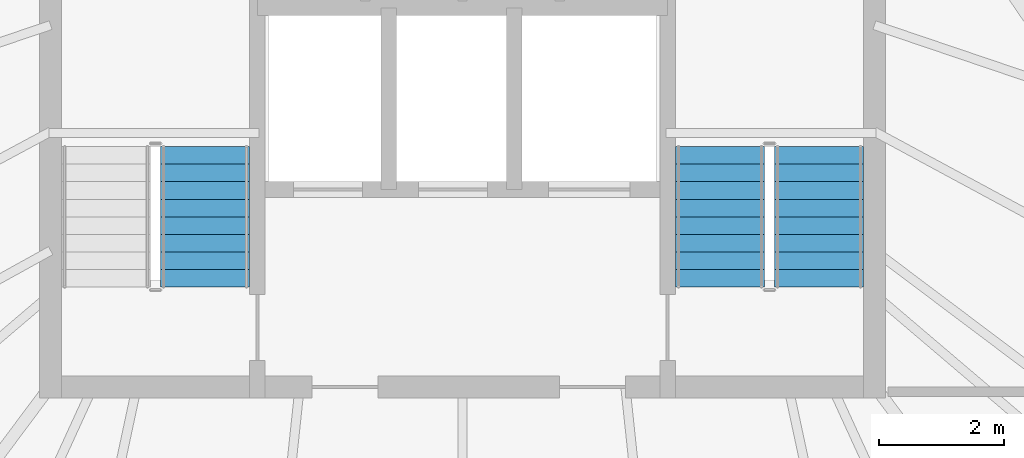
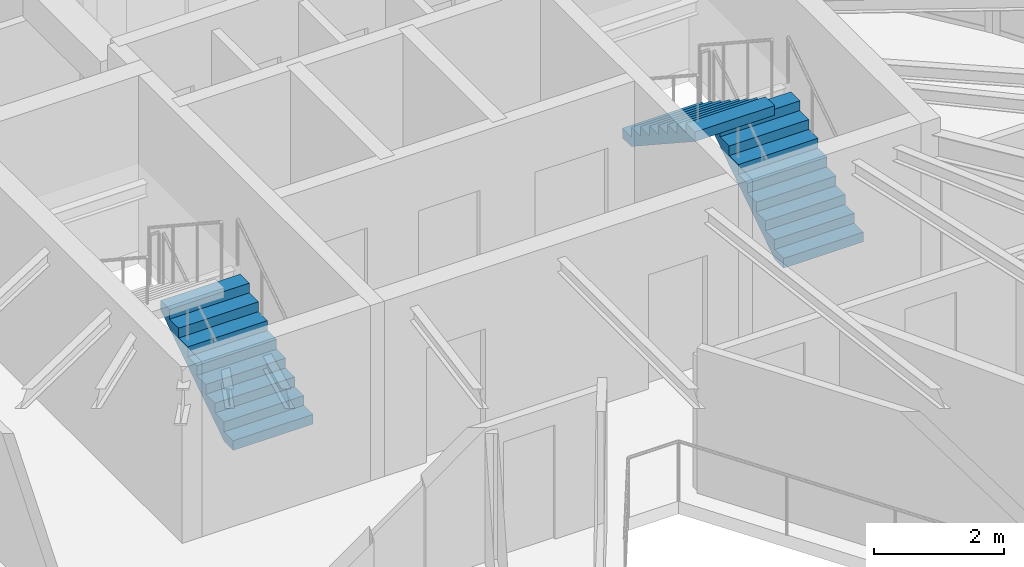
# One storey, part 28 of 30: 3 stair flights, 2 elements without a shape of their own.
"""IFC4 building model written with IfcOpenShell, lengths in metres."""

from ifc_helpers import new_model, si_unit, direction, frame, origin, place, context, subcontext, project, spatial, polyline, outline, extrude, material, type_object, element, aggregate, save


model = new_model("IFC4")

# Units and contexts
model_context = context("Model", 3, precision=1e-05, world=origin(), true_north=direction((0.0, 1.0)))
body_context = subcontext(model_context, "Body", "Model", "MODEL_VIEW")
ifc_project = project(units=[si_unit("LENGTHUNIT", "METRE"), si_unit("AREAUNIT", "SQUARE_METRE"), si_unit("VOLUMEUNIT", "CUBIC_METRE"), si_unit("PLANEANGLEUNIT", "RADIAN"), si_unit("MASSUNIT", "GRAM", prefix="KILO")], contexts=[model_context])

# Site, building, storey
site_placement = place(None, origin())
site = spatial("IfcSite", under=ifc_project, at=site_placement, CompositionType="ELEMENT")
building_placement = place(site_placement, origin())
building = spatial("IfcBuilding", under=site, at=building_placement, Name="Orvanel Arch Residences", CompositionType="ELEMENT")
storey_placement = place(building_placement, frame((0.0, 0.0, 273.35009765625)))
storey = spatial("IfcBuildingStorey", under=building, at=storey_placement, Name="L78", CompositionType="ELEMENT", Elevation=273.35009765625)

# Stair, stair flight
ifc_material = material(Name="Precast concrete N50 (50 MPa)", Category="concrete")
stair_type = type_object("IfcStairType", Name="STR-DOG-184", PredefinedType="USERDEFINED", material=ifc_material)
stair_1_placement = place(storey_placement, origin())
stair_1 = element("IfcStair", 1, at=stair_1_placement, inside=storey, type_object=stair_type, Name="L78 Fire-Isolated Core Exit Stair 1", ObjectType="TWO_RETURN_STAIR", PredefinedType="USERDEFINED")
stair_flight_type_1 = type_object("IfcStairFlightType", Name="SFL-C1-184", PredefinedType="STRAIGHT", material=ifc_material)
stair_flight_1_placement = place(storey_placement, frame((28.889892578125, 28.320068359375, 0.0), z_axis=(0.0, 0.0, 1.0), x_axis=(0.0, 1.0, 0.0)))
stair_flight_1 = element("IfcStairFlight", 2, at=stair_flight_1_placement, type_object=stair_flight_type_1, Name="ST-1 flight 1", NumberOfRisers=9, NumberOfTreads=8, PredefinedType="STRAIGHT", RiserHeight=0.183333333, TreadLength=0.28, context=body_context, shape_type="SweptSolid", body=[
    extrude(outline(polyline([(0.0, 0.0), (0.0, 0.183349609375), (0.280029296875, 0.183349609375), (0.280029296875, 0.36669921875), (0.56005859375, 0.36669921875), (0.56005859375, 0.550048828125), (0.840087890625, 0.550048828125), (0.840087890625, 0.7333984375), (1.1201171875, 0.7333984375), (1.1201171875, 0.916748046875), (1.39990234375, 0.916748046875), (1.39990234375, 1.10009765625), (1.679931640625, 1.10009765625), (1.679931640625, 1.283447265625), (1.9599609375, 1.283447265625), (1.9599609375, 1.466552734375), (2.239990234375, 1.466552734375), (2.239990234375, 1.64990234375), (2.239990234375, 1.28759765625), (0.273681640625, 0.0), (0.0, 0.0)])), frame((0.0, 0.7099609375, 0.0), z_axis=(0.0, -1.0, 0.0), x_axis=(1.0, 0.0, 0.0)), (0.0, 0.0, 1.0), 1.419921875),
])
aggregate(stair_1, [stair_flight_1])

# Stair, stair flights
stair_2_placement = place(storey_placement, origin())
stair_2 = element("IfcStair", 3, at=stair_2_placement, inside=storey, type_object=stair_type, Name="L78 Fire-Isolated Core Exit Stair 2", ObjectType="TWO_RETURN_STAIR", PredefinedType="USERDEFINED")
stair_flight_type_2 = type_object("IfcStairFlightType", Name="SFL-C2-184", PredefinedType="STRAIGHT", material=ifc_material)
stair_flight_2_placement = place(storey_placement, frame((38.68994140625, 28.320068359375, 0.0), z_axis=(0.0, 0.0, 1.0), x_axis=(0.0, 1.0, 0.0)))
stair_flight_2 = element("IfcStairFlight", 4, at=stair_flight_2_placement, type_object=stair_flight_type_2, Name="ST-2 flight 1", NumberOfRisers=9, NumberOfTreads=8, PredefinedType="STRAIGHT", RiserHeight=0.183333333, TreadLength=0.28, context=body_context, shape_type="SweptSolid", body=[
    extrude(outline(polyline([(0.0, 0.0), (0.0, 0.183349609375), (0.280029296875, 0.183349609375), (0.280029296875, 0.36669921875), (0.56005859375, 0.36669921875), (0.56005859375, 0.550048828125), (0.840087890625, 0.550048828125), (0.840087890625, 0.7333984375), (1.1201171875, 0.7333984375), (1.1201171875, 0.916748046875), (1.39990234375, 0.916748046875), (1.39990234375, 1.10009765625), (1.679931640625, 1.10009765625), (1.679931640625, 1.283447265625), (1.9599609375, 1.283447265625), (1.9599609375, 1.466552734375), (2.239990234375, 1.466552734375), (2.239990234375, 1.64990234375), (2.239990234375, 1.28759765625), (0.273681640625, 0.0), (0.0, 0.0)])), frame((0.0, 0.7099609375, 0.0), z_axis=(0.0, -1.0, 0.0), x_axis=(1.0, 0.0, 0.0)), (0.0, 0.0, 1.0), 1.419921875),
])
stair_flight_3_placement = place(storey_placement, frame((37.110107421875, 30.56005859375, 1.64990234375), z_axis=(0.0, 0.0, 1.0), x_axis=(0.0, -1.0, 0.0)))
stair_flight_3 = element("IfcStairFlight", 5, at=stair_flight_3_placement, type_object=stair_flight_type_2, Name="ST-2 flight 2", NumberOfRisers=9, NumberOfTreads=8, PredefinedType="STRAIGHT", RiserHeight=0.183333333, TreadLength=0.28, context=body_context, shape_type="SweptSolid", body=[
    extrude(outline(polyline([(0.0, 0.0), (0.0, 0.183349609375), (0.280029296875, 0.183349609375), (0.280029296875, 0.36669921875), (0.56005859375, 0.36669921875), (0.56005859375, 0.550048828125), (0.840087890625, 0.550048828125), (0.840087890625, 0.7333984375), (1.1201171875, 0.7333984375), (1.1201171875, 0.916748046875), (1.39990234375, 0.916748046875), (1.39990234375, 1.10009765625), (1.679931640625, 1.10009765625), (1.679931640625, 1.283447265625), (1.9599609375, 1.283447265625), (1.9599609375, 1.466552734375), (2.239990234375, 1.466552734375), (2.239990234375, 1.64990234375), (2.239990234375, 1.28759765625), (0.273681640625, 0.0), (0.0, 0.0)])), frame((0.0, 0.7099609375, 0.0), z_axis=(0.0, -1.0, 0.0), x_axis=(1.0, 0.0, 0.0)), (0.0, 0.0, 1.0), 1.419921875),
])
aggregate(stair_2, [stair_flight_2, stair_flight_3])

save(model, "model.ifc")
